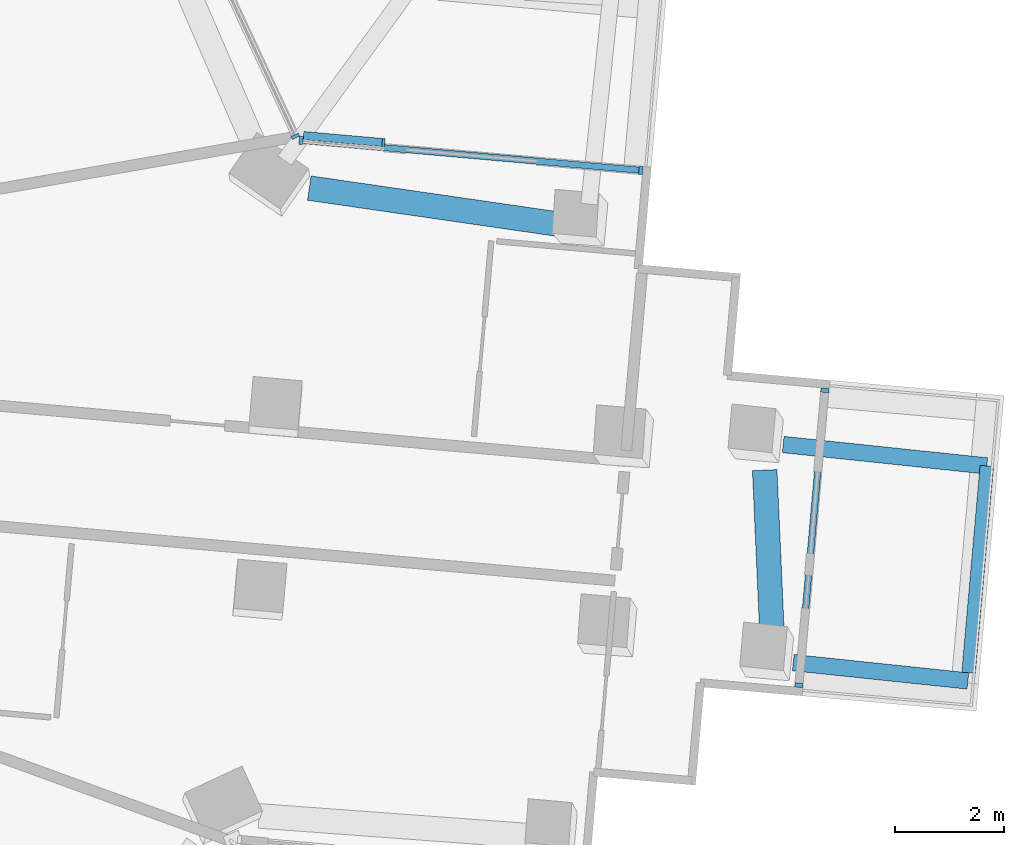
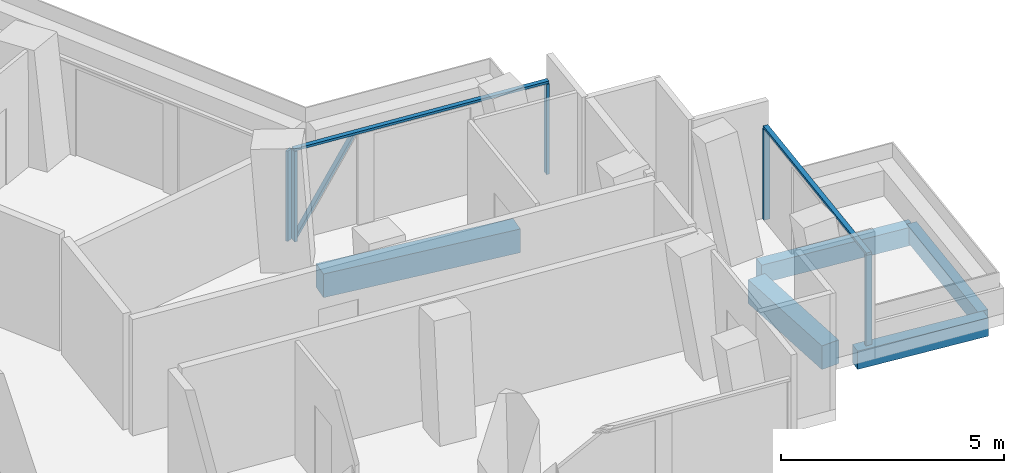
# One storey, part 6 of 23: 8 members, 5 beams, 3 elements without a shape of their own.
"""IFC4 building model written with IfcOpenShell, lengths in metres."""

from ifc_helpers import new_model, si_unit, direction, frame, origin, origin_2d, place, context, subcontext, project, spatial, rectangle, extrude, material, layer, layer_set, material_profile, profile_set, type_object, element, aggregate, save


model = new_model("IFC4")

# Units and contexts
model_context = context("Model", 3, precision=1e-05, world=origin(), true_north=direction((0.0, 1.0)))
body_context = subcontext(model_context, "Body", "Model", "MODEL_VIEW")
ifc_project = project(units=[si_unit("LENGTHUNIT", "METRE"), si_unit("AREAUNIT", "SQUARE_METRE"), si_unit("VOLUMEUNIT", "CUBIC_METRE"), si_unit("PLANEANGLEUNIT", "RADIAN"), si_unit("MASSUNIT", "GRAM", prefix="KILO")], contexts=[model_context])

# Site, building, storey
site_placement = place(None, origin())
site = spatial("IfcSite", under=ifc_project, at=site_placement, CompositionType="ELEMENT")
building_placement = place(site_placement, origin())
building = spatial("IfcBuilding", under=site, at=building_placement, Name="Verdalira Terraces Hotel", CompositionType="ELEMENT")
storey_placement = place(building_placement, frame((0.0, 0.0, 136.5)))
storey = spatial("IfcBuildingStorey", under=building, at=storey_placement, Name="L32", CompositionType="ELEMENT", Elevation=136.5)

# Beams
ifc_material_1 = material(Name="Concrete C40", Category="concrete")
ifc_material_profile_1 = material_profile(ifc_material_1, rectangle(XDim=0.300049, YDim=0.5, at=origin_2d()), Name="RC 300X500")
ifc_profile_set_1 = profile_set([ifc_material_profile_1], Name="Concrete C40")
beam_type_1 = type_object("IfcBeamType", Name="Balcony cantilever beam RC 300X500 C40", PredefinedType="BEAM", material=ifc_profile_set_1)
beam_1_placement = place(storey_placement, frame((33.773193, -5.294922, -0.560059), z_axis=(0.994524579, -0.104502926, 0.0), x_axis=(0.104502926, 0.994524579, 0.0)))
element("IfcBeam", 1, at=beam_1_placement, inside=storey, type_object=beam_type_1, Name="Balcony cantilever beam R33-1", PredefinedType="BEAM", context=body_context, shape_type="SweptSolid", body=[
    extrude(rectangle(XDim=0.300049, YDim=0.5, at=origin_2d()), origin(), (0.0, 0.0, 1.0), 3.2146),
])
beam_2_placement = place(storey_placement, frame((33.589111, -1.30249, -0.560059), z_axis=(0.994522212, -0.10452545, 0.0), x_axis=(0.10452545, 0.994522212, 0.0)))
element("IfcBeam", 2, at=beam_2_placement, inside=storey, type_object=beam_type_1, Name="Balcony cantilever beam R33-2", PredefinedType="BEAM", context=body_context, shape_type="SweptSolid", body=[
    extrude(rectangle(XDim=0.300049, YDim=0.5, at=origin_2d()), origin(), (0.0, 0.0, 1.0), 3.748779),
])
ifc_material_2 = material(Name="Concrete C40", Category="concrete")
ifc_material_profile_2 = material_profile(ifc_material_2, rectangle(XDim=0.25, YDim=0.449951, at=origin_2d()), Name="RC 250X450")
ifc_profile_set_2 = profile_set([ifc_material_profile_2], Name="Concrete C40")
beam_type_2 = type_object("IfcBeamType", Name="Balcony edge beam RC 250X450 C40", PredefinedType="BEAM", material=ifc_profile_set_2)
beam_3_placement = place(storey_placement, frame((36.983398, -5.481445, -0.534912), z_axis=(0.087848831, 0.996133818, 0.0), x_axis=(-0.996133818, 0.087848831, 0.0)))
element("IfcBeam", 3, at=beam_3_placement, inside=storey, type_object=beam_type_2, Name="Balcony edge beam R33-1", PredefinedType="BEAM", context=body_context, shape_type="SweptSolid", body=[
    extrude(rectangle(XDim=0.25, YDim=0.449951, at=origin_2d()), origin(), (0.0, 0.0, 1.0), 3.801758),
])

# Curtain wall, member
ifc_material_3 = material(Name="Clear glass", Category="glass")
ifc_layer_1 = layer(ifc_material_3, 0.14990234375)
ifc_layer_set_1 = layer_set([ifc_layer_1], Name="CW1 curtain wall")
curtain_wall_type_1 = type_object("IfcCurtainWallType", Name="CW1 curtain wall", PredefinedType="NOTDEFINED", material=ifc_layer_set_1)
curtain_wall_1_placement = place(storey_placement, origin())
curtain_wall_1 = element("IfcCurtainWall", 4, at=curtain_wall_1_placement, inside=storey, type_object=curtain_wall_type_1, Name="CW1 curtain wall L32 edge 39", PredefinedType="NOTDEFINED")
ifc_material_4 = material(Name="Terracotta frame", Category="masonry")
ifc_material_profile_3 = material_profile(ifc_material_4, rectangle(XDim=0.060059, YDim=0.149902, at=origin_2d()), Name="MU 60x150")
ifc_profile_set_3 = profile_set([ifc_material_profile_3], Name="Terracotta frame")
member_type_1 = type_object("IfcMemberType", Name="CW1 mullion 60x150", PredefinedType="MULLION", material=ifc_profile_set_3)
member_1_placement = place(storey_placement, frame((24.655029, 4.339355, 0.0), z_axis=(0.0, 0.0, 1.0), x_axis=(-0.421985437, 0.906602609, 0.0)))
member_1 = element("IfcMember", 5, at=member_1_placement, type_object=member_type_1, Name="CW1 mullion", PredefinedType="MULLION", context=body_context, shape_type="SweptSolid", body=[
    extrude(rectangle(XDim=0.060059, YDim=0.149902, at=origin_2d()), origin(), (0.0, 0.0, 1.0), 2.475098),
])
aggregate(curtain_wall_1, [member_1])

# Curtain wall, members
ifc_material_5 = material(Name="Clear glass", Category="glass")
ifc_layer_2 = layer(ifc_material_5, 0.14990234375)
ifc_layer_set_2 = layer_set([ifc_layer_2], Name="CW2 curtain wall")
curtain_wall_type_2 = type_object("IfcCurtainWallType", Name="CW2 curtain wall", PredefinedType="NOTDEFINED", material=ifc_layer_set_2)
curtain_wall_2_placement = place(storey_placement, origin())
curtain_wall_2 = element("IfcCurtainWall", 6, at=curtain_wall_2_placement, inside=storey, type_object=curtain_wall_type_2, Name="CW2 curtain wall L32 edge 38", PredefinedType="NOTDEFINED")
ifc_material_6 = material(Name="Terracotta frame", Category="masonry")
ifc_material_profile_4 = material_profile(ifc_material_6, rectangle(XDim=0.070068, YDim=0.149902, at=origin_2d()), Name="MU 70x150")
ifc_profile_set_4 = profile_set([ifc_material_profile_4], Name="Terracotta frame")
member_type_2 = type_object("IfcMemberType", Name="CW2 mullion 70x150", PredefinedType="MULLION", material=ifc_profile_set_4)
member_2_placement = place(storey_placement, frame((30.983154, 3.717529, 0.0), z_axis=(0.0, 0.0, 1.0), x_axis=(-0.996133609, 0.087851197, 0.0)))
member_2 = element("IfcMember", 7, at=member_2_placement, type_object=member_type_2, Name="CW2 mullion", PredefinedType="MULLION", context=body_context, shape_type="SweptSolid", body=[
    extrude(rectangle(XDim=0.070068, YDim=0.149902, at=origin_2d()), origin(), (0.0, 0.0, 1.0), 2.475098),
])
member_3_placement = place(storey_placement, frame((24.763916, 4.265869, 0.0), z_axis=(0.0, 0.0, 1.0), x_axis=(-0.996133609, 0.087851197, 0.0)))
member_3 = element("IfcMember", 8, at=member_3_placement, type_object=member_type_2, Name="CW2 mullion", PredefinedType="MULLION", context=body_context, shape_type="SweptSolid", body=[
    extrude(rectangle(XDim=0.070068, YDim=0.149902, at=origin_2d()), origin(), (0.0, 0.0, 1.0), 2.475098),
])
ifc_material_7 = material(Name="Terracotta frame", Category="masonry")
ifc_material_profile_5 = material_profile(ifc_material_7, rectangle(XDim=0.11499, YDim=0.064941, at=origin_2d()), Name="TR 65x115")
ifc_profile_set_5 = profile_set([ifc_material_profile_5], Name="Terracotta frame")
member_type_3 = type_object("IfcMemberType", Name="CW2 transom 65x115", PredefinedType="USERDEFINED", material=ifc_profile_set_5)
member_4_placement = place(storey_placement, frame((31.018066, 3.714355, 2.507568), z_axis=(-0.996133036, 0.087857696, 0.0), x_axis=(-0.087857696, -0.996133036, 0.0)))
member_4 = element("IfcMember", 9, at=member_4_placement, type_object=member_type_3, Name="CW2 transom", ObjectType="TRANSOM", PredefinedType="USERDEFINED", context=body_context, shape_type="SweptSolid", body=[
    extrude(rectangle(XDim=0.11499, YDim=0.064941, at=origin_2d()), origin(), (0.0, 0.0, 1.0), 6.313477),
])

ifc_material_8 = material(Name="Clear glass", Category="glass")
ifc_layer_3 = layer(ifc_material_8, 0.14990234375)
ifc_layer_set_3 = layer_set([ifc_layer_3], Name="CW3 curtain wall")
curtain_wall_type_3 = type_object("IfcCurtainWallType", Name="CW3 curtain wall", PredefinedType="NOTDEFINED", material=ifc_layer_set_3)
curtain_wall_3_placement = place(storey_placement, origin())
curtain_wall_3 = element("IfcCurtainWall", 10, at=curtain_wall_3_placement, inside=storey, type_object=curtain_wall_type_3, Name="CW3 curtain wall L32 edge 33", PredefinedType="NOTDEFINED")
ifc_material_9 = material(Name="Terracotta frame", Category="masonry")
ifc_material_profile_6 = material_profile(ifc_material_9, rectangle(XDim=0.080078, YDim=0.149902, at=origin_2d()), Name="MU 80x150")
ifc_profile_set_6 = profile_set([ifc_material_profile_6], Name="Terracotta frame")
member_type_4 = type_object("IfcMemberType", Name="CW3 mullion 80x150", PredefinedType="MULLION", material=ifc_profile_set_6)
member_5_placement = place(storey_placement, frame((33.876465, -5.708252, 0.0), z_axis=(0.0, 0.0, 1.0), x_axis=(0.087851197, 0.996133609, 0.0)))
member_5 = element("IfcMember", 11, at=member_5_placement, type_object=member_type_4, Name="CW3 mullion", PredefinedType="MULLION", context=body_context, shape_type="SweptSolid", body=[
    extrude(rectangle(XDim=0.080078, YDim=0.149902, at=origin_2d()), origin(), (0.0, 0.0, 1.0), 2.475098),
])
member_6_placement = place(storey_placement, frame((34.352539, -0.309082, 0.0), z_axis=(0.0, 0.0, 1.0), x_axis=(0.087851197, 0.996133609, 0.0)))
member_6 = element("IfcMember", 12, at=member_6_placement, type_object=member_type_4, Name="CW3 mullion", PredefinedType="MULLION", context=body_context, shape_type="SweptSolid", body=[
    extrude(rectangle(XDim=0.080078, YDim=0.149902, at=origin_2d()), origin(), (0.0, 0.0, 1.0), 2.475098),
])
ifc_material_10 = material(Name="Terracotta frame", Category="masonry")
ifc_material_profile_7 = material_profile(ifc_material_10, rectangle(XDim=0.120117, YDim=0.064941, at=origin_2d()), Name="TR 65x120")
ifc_profile_set_7 = profile_set([ifc_material_profile_7], Name="Terracotta frame")
member_type_5 = type_object("IfcMemberType", Name="CW3 transom 65x120", PredefinedType="USERDEFINED", material=ifc_profile_set_7)
member_7_placement = place(storey_placement, frame((33.872803, -5.748047, 2.507568), z_axis=(0.087845878, 0.996134078, 0.0), x_axis=(-0.996134078, 0.087845878, 0.0)))
member_7 = element("IfcMember", 13, at=member_7_placement, type_object=member_type_5, Name="CW3 transom", ObjectType="TRANSOM", PredefinedType="USERDEFINED", context=body_context, shape_type="SweptSolid", body=[
    extrude(rectangle(XDim=0.120117, YDim=0.064941, at=origin_2d()), origin(), (0.0, 0.0, 1.0), 5.5),
])
aggregate(curtain_wall_3, [member_5, member_6, member_7])

# Member
ifc_material_11 = material(Name="Terracotta frame", Category="masonry")
ifc_material_profile_8 = material_profile(ifc_material_11, rectangle(XDim=0.149902, YDim=0.060059, at=origin_2d()), Name="GB 60x150")
ifc_profile_set_8 = profile_set([ifc_material_profile_8], Name="Terracotta frame")
member_type_6 = type_object("IfcMemberType", Name="Diagonal glazing bar 60x150", PredefinedType="USERDEFINED", material=ifc_profile_set_8)
member_8_placement = place(storey_placement, frame((26.270996, 4.224365, 2.430908), z_axis=(-0.515469838, 0.04542857, -0.855702689), x_axis=(-0.08779014, -0.996138992, 0.0)))
member_8 = element("IfcMember", 14, at=member_8_placement, type_object=member_type_6, Name="Diagonal glazing bar", ObjectType="GLAZING BAR", PredefinedType="USERDEFINED", context=body_context, shape_type="SweptSolid", body=[
    extrude(rectangle(XDim=0.149902, YDim=0.060059, at=origin_2d()), origin(), (0.0, 0.0, 1.0), 2.789307),
])

aggregate(curtain_wall_2, [member_2, member_3, member_4, member_8])

# Beams
ifc_material_12 = material(Name="Concrete C50", Category="concrete")
ifc_material_profile_9 = material_profile(ifc_material_12, rectangle(XDim=0.449951, YDim=0.649902, at=origin_2d()), Name="RC 450X650")
ifc_profile_set_9 = profile_set([ifc_material_profile_9], Name="Concrete C50")
beam_type_3 = type_object("IfcBeamType", Name="Spandrel beam RC 450X650 C50", PredefinedType="SPANDREL", material=ifc_profile_set_9)
beam_4_placement = place(storey_placement, frame((33.388184, -4.854492, -0.63501), z_axis=(-0.044453242, 0.999011466, 0.0), x_axis=(-0.999011466, -0.044453242, 0.0)))
element("IfcBeam", 15, at=beam_4_placement, inside=storey, type_object=beam_type_3, Name="Spandrel beam B16", PredefinedType="SPANDREL", context=body_context, shape_type="SweptSolid", body=[
    extrude(rectangle(XDim=0.449951, YDim=0.649902, at=origin_2d()), origin(), (0.0, 0.0, 1.0), 3.086426),
])
beam_5_placement = place(storey_placement, frame((29.626953, 2.709473, -0.63501), z_axis=(-0.989684311, 0.143265364, 0.0), x_axis=(-0.143265364, -0.989684311, 0.0)))
element("IfcBeam", 16, at=beam_5_placement, inside=storey, type_object=beam_type_3, Name="Spandrel beam B17", PredefinedType="SPANDREL", context=body_context, shape_type="SweptSolid", body=[
    extrude(rectangle(XDim=0.449951, YDim=0.649902, at=origin_2d()), origin(), (0.0, 0.0, 1.0), 4.762939),
])

save(model, "model.ifc")
